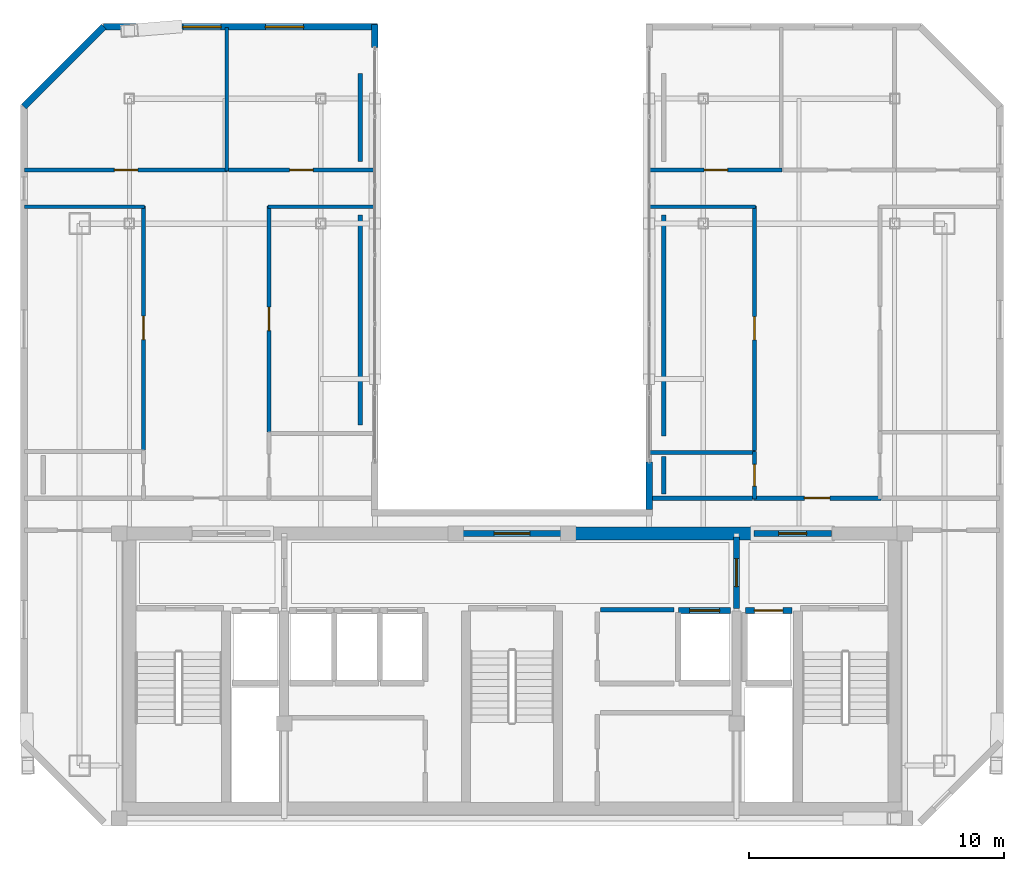
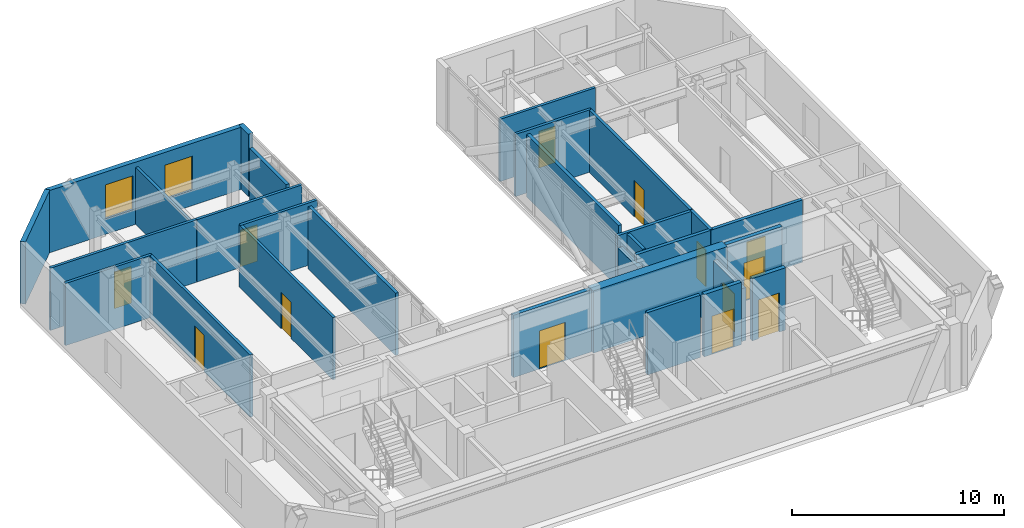
# One storey, part 16 of 19: 29 walls, 13 doors, 2 windows, 15 openings.
"""IFC4 building model written with IfcOpenShell, lengths in metres."""

from ifc_helpers import new_model, si_unit, direction, frame, frame_2d, origin, place, context, subcontext, project, spatial, rectangle, extrude, material, layer, layer_set, type_object, element, fill, save


model = new_model("IFC4")

# Units and contexts
model_context = context("Model", 3, precision=1e-05, world=origin(), true_north=direction((0.0, 1.0)))
body_context = subcontext(model_context, "Body", "Model", "MODEL_VIEW")
ifc_project = project(units=[si_unit("LENGTHUNIT", "METRE"), si_unit("AREAUNIT", "SQUARE_METRE"), si_unit("VOLUMEUNIT", "CUBIC_METRE"), si_unit("PLANEANGLEUNIT", "RADIAN"), si_unit("MASSUNIT", "GRAM", prefix="KILO")], contexts=[model_context])

# Site, building, storey
site_placement = place(None, origin())
site = spatial("IfcSite", under=ifc_project, at=site_placement, CompositionType="ELEMENT")
building_placement = place(site_placement, origin())
building = spatial("IfcBuilding", under=site, at=building_placement, Name="Ventersveld Concourse Tower", CompositionType="ELEMENT")
storey_placement = place(building_placement, frame((0.0, 0.0, 345.199951171875)))
storey = spatial("IfcBuildingStorey", under=building, at=storey_placement, Name="L85", CompositionType="ELEMENT", Elevation=345.199951171875)

# Walls
ifc_material_1 = material(Name="Concrete C50/60", Category="concrete")
ifc_layer_1 = layer(ifc_material_1, 0.5)
ifc_layer_set_1 = layer_set([ifc_layer_1], Name="Concrete C50/60")
wall_type_1 = type_object("IfcWallType", Name="WL-CORE-500", PredefinedType="SHEAR", material=ifc_layer_set_1)
wall_1_placement = place(storey_placement, frame((30.89990234375, 11.449951171875, 0.0), z_axis=(0.0, 0.0, 1.0), x_axis=(1.0, 0.0, 0.0)))
element("IfcWall", 1, at=wall_1_placement, inside=storey, type_object=wall_type_1, Name="L85 Rear Core North Shear Wall NMR", PredefinedType="SHEAR", context=body_context, shape_type="SweptSolid", body=[
    extrude(rectangle(XDim=7.300048828125, YDim=0.5, at=frame_2d((3.64990234375, 0.0))), origin(), (0.0, 0.0, 1.0), 3.590087890625),
])
ifc_material_2 = material(Name="Fire-rated autoclaved aerated masonry blockwork", Category="masonry")
ifc_layer_2 = layer(ifc_material_2, 0.179931640625)
ifc_layer_set_2 = layer_set([ifc_layer_2], Name="Fire-rated autoclaved aerated masonry blockwork")
wall_type_2 = type_object("IfcWallType", Name="WL-CORR-180", PredefinedType="PARTITIONING", material=ifc_layer_set_2)
wall_2_placement = place(storey_placement, frame((32.219970703125, 8.4599609375, 0.0), z_axis=(0.0, 0.0, 1.0), x_axis=(1.0, 0.0, 0.0)))
element("IfcWall", 2, at=wall_2_placement, inside=storey, type_object=wall_type_2, Name="L85 Core Top Wall SP-L85-CBAY1", PredefinedType="PARTITIONING", context=body_context, shape_type="SweptSolid", body=[
    extrude(rectangle(XDim=2.880126953125, YDim=0.179931640625, at=frame_2d((1.43994140625, 0.0))), origin(), (0.0, 0.0, 1.0), 3.590087890625),
])

# Wall, opening, door
wall_3_placement = place(storey_placement, frame((38.216552734375, 12.840087890625, 0.0), z_axis=(0.0, 0.0, 1.0), x_axis=(1.0, 0.0, 0.0)))
wall_3 = element("IfcWall", 3, at=wall_3_placement, inside=storey, type_object=wall_type_2, Name="L85 Interior Partition SP-L85-COR-E-SP-L85-85EB-LIV", PredefinedType="PARTITIONING", context=body_context, shape_type="SweptSolid", body=[
    extrude(rectangle(XDim=4.989990234375, YDim=0.179931640625, at=frame_2d((2.4951171875, 0.0))), origin(), (0.0, 0.0, 1.0), 3.590087890625),
])
opening_1_placement = place(wall_3_placement, frame((1.9951171875, 0.0, 0.0)))
opening_1 = element("IfcOpeningElement", 4, at=opening_1_placement, cuts=wall_3, Name="Opening FD3", PredefinedType="OPENING", context=body_context, shape_type="SweptSolid", body=[
    extrude(rectangle(XDim=1.0, YDim=2.14990234375, at=frame_2d((0.5, 1.074951171875))), frame((0.0, 0.10009765625, 0.0), z_axis=(0.0, -1.0, 0.0), x_axis=(1.0, 0.0, 0.0)), (0.0, 0.0, 1.0), 0.199951171875),
])
ifc_material_3 = material(Name="Solid-core hardwood veneer timber", Category="wood")
door_type_1 = type_object("IfcDoorType", Name="DR-FLAT-100", OperationType="NOTDEFINED", PredefinedType="DOOR", material=ifc_material_3)
door_1_placement = place(opening_1_placement, origin())
door_1 = element("IfcDoor", 5, at=door_1_placement, inside=storey, type_object=door_type_1, Name="L85 Interior Door SP-L85-COR-E to SP-L85-85EB-LIV (FD-L85-3814)", OperationType="SINGLE_SWING_RIGHT", OverallHeight=2.14990234375, OverallWidth=1.0, PredefinedType="DOOR", context=body_context, shape_type="SweptSolid", body=[
    extrude(rectangle(XDim=1.0, YDim=2.14990234375, at=frame_2d((0.5, 1.074951171875))), frame((0.0, 0.02490234375, 0.0), z_axis=(0.0, -1.0, 0.0), x_axis=(1.0, 0.0, 0.0)), (0.0, 0.0, 1.0), 0.050048828125),
])
fill(opening_1, door_1)

# Walls
wall_4_placement = place(storey_placement, frame((34.1494140625, 12.840087890625, 0.0), z_axis=(0.0, 0.0, 1.0), x_axis=(1.0, 0.0, 0.0)))
element("IfcWall", 6, at=wall_4_placement, inside=storey, type_object=wall_type_2, Name="L85 Interior Partition SP-L85-COR-E-SP-L85-85EB-BATH", PredefinedType="PARTITIONING", context=body_context, shape_type="SweptSolid", body=[
    extrude(rectangle(XDim=4.037109375, YDim=0.179931640625, at=frame_2d((2.0185546875, 0.0))), origin(), (0.0, 0.0, 1.0), 3.590087890625),
])
wall_5_placement = place(storey_placement, frame((22.800048828125, 23.9375, 0.0), z_axis=(0.0, 0.0, 1.0), x_axis=(0.0, -1.0, 0.0)))
element("IfcWall", 7, at=wall_5_placement, inside=storey, type_object=wall_type_2, Name="L85 Room Enclosure Wall SP-L85-85WA-DENR", PredefinedType="PARTITIONING", context=body_context, shape_type="SweptSolid", body=[
    extrude(rectangle(XDim=8.239501953125, YDim=0.179931640625, at=frame_2d((4.11962890625, 0.0))), origin(), (0.0, 0.0, 1.0), 3.590087890625),
])
wall_6_placement = place(storey_placement, frame((22.800048828125, 29.486083984375, 0.0), z_axis=(0.0, 0.0, 1.0), x_axis=(0.0, -1.0, 0.0)))
element("IfcWall", 8, at=wall_6_placement, inside=storey, type_object=wall_type_2, Name="L85 Room Enclosure Wall SP-L85-85WA-BR2", PredefinedType="PARTITIONING", context=body_context, shape_type="SweptSolid", body=[
    extrude(rectangle(XDim=3.45849609375, YDim=0.179931640625, at=frame_2d((1.729248046875, 0.0))), origin(), (0.0, 0.0, 1.0), 3.590087890625),
])
wall_7_placement = place(storey_placement, frame((34.699951171875, 15.2666015625, 0.0), z_axis=(0.0, 0.0, 1.0), x_axis=(0.0, 1.0, 0.0)))
element("IfcWall", 9, at=wall_7_placement, inside=storey, type_object=wall_type_2, Name="L85 Room Enclosure Wall SP-L85-85EB-MEDL0", PredefinedType="PARTITIONING", context=body_context, shape_type="SweptSolid", body=[
    extrude(rectangle(XDim=8.6708984375, YDim=0.179931640625, at=frame_2d((4.33544921875, 0.0))), origin(), (0.0, 0.0, 1.0), 3.590087890625),
])

# Wall, opening, door
ifc_layer_3 = layer(ifc_material_2, 0.219970703125)
ifc_layer_set_3 = layer_set([ifc_layer_3], Name="Fire-rated autoclaved aerated masonry blockwork")
wall_type_3 = type_object("IfcWallType", Name="WL-HOIST-220", PredefinedType="SOLIDWALL", material=ifc_layer_set_3)
wall_8_placement = place(storey_placement, frame((37.89990234375, 8.429931640625, 0.0), z_axis=(0.0, 0.0, 1.0), x_axis=(1.0, 0.0, 0.0)))
wall_8 = element("IfcWall", 10, at=wall_8_placement, inside=storey, type_object=wall_type_3, Name="L85 Lift Hoistway Front Wall FFL-02", PredefinedType="SOLIDWALL", context=body_context, shape_type="SweptSolid", body=[
    extrude(rectangle(XDim=1.820068359375, YDim=0.219970703125, at=frame_2d((0.91015625, 0.0))), origin(), (0.0, 0.0, 1.0), 3.590087890625),
])
opening_2_placement = place(wall_8_placement, frame((0.35009765625, 0.0, 0.0)))
opening_2 = element("IfcOpeningElement", 11, at=opening_2_placement, cuts=wall_8, Name="Opening LD1", PredefinedType="OPENING", context=body_context, shape_type="SweptSolid", body=[
    extrude(rectangle(XDim=1.1201171875, YDim=2.25, at=frame_2d((0.56005859375, 1.125))), frame((0.0, 0.1201171875, 0.0), z_axis=(0.0, -1.0, 0.0), x_axis=(1.0, 0.0, 0.0)), (0.0, 0.0, 1.0), 0.239990234375),
])
ifc_material_4 = material(Name="Brushed stainless steel 316", Category="steel")
door_type_2 = type_object("IfcDoorType", Name="LD-FF-112", OperationType="SLIDING_TO_LEFT", PredefinedType="DOOR", material=ifc_material_4)
door_2_placement = place(opening_2_placement, origin())
door_2 = element("IfcDoor", 12, at=door_2_placement, inside=storey, type_object=door_type_2, Name="L85 Lift landing door FFL-02 (LD-L85-FFL-02)", OperationType="SLIDING_TO_LEFT", OverallHeight=2.25, OverallWidth=1.1201171875, PredefinedType="DOOR", context=body_context, shape_type="SweptSolid", body=[
    extrude(rectangle(XDim=1.1201171875, YDim=2.25, at=frame_2d((0.56005859375, 1.125))), frame((0.0, 0.02490234375, 0.0), z_axis=(0.0, -1.0, 0.0), x_axis=(1.0, 0.0, 0.0)), (0.0, 0.0, 1.0), 0.050048828125),
])
fill(opening_2, door_2)

wall_9_placement = place(storey_placement, frame((35.280029296875, 8.429931640625, 0.0), z_axis=(0.0, 0.0, 1.0), x_axis=(1.0, 0.0, 0.0)))
wall_9 = element("IfcWall", 13, at=wall_9_placement, inside=storey, type_object=wall_type_3, Name="L85 Lift Hoistway Front Wall SVL-01", PredefinedType="SOLIDWALL", context=body_context, shape_type="SweptSolid", body=[
    extrude(rectangle(XDim=2.0400390625, YDim=0.219970703125, at=frame_2d((1.02001953125, 0.0))), origin(), (0.0, 0.0, 1.0), 3.590087890625),
])
opening_3_placement = place(wall_9_placement, frame((0.429931640625, 0.0, 0.0)))
opening_3 = element("IfcOpeningElement", 14, at=opening_3_placement, cuts=wall_9, Name="Opening LD2", PredefinedType="OPENING", context=body_context, shape_type="SweptSolid", body=[
    extrude(rectangle(XDim=1.179931640625, YDim=2.199951171875, at=frame_2d((0.58984375, 1.10009765625))), frame((0.0, 0.1201171875, 0.0), z_axis=(0.0, -1.0, 0.0), x_axis=(1.0, 0.0, 0.0)), (0.0, 0.0, 1.0), 0.239990234375),
])
door_type_3 = type_object("IfcDoorType", Name="LD-PAX-118", OperationType="SLIDING_TO_LEFT", PredefinedType="DOOR", material=ifc_material_4)
door_3_placement = place(opening_3_placement, origin())
door_3 = element("IfcDoor", 15, at=door_3_placement, inside=storey, type_object=door_type_3, Name="L85 Lift landing door SVL-01 (LD-L85-SVL-01)", OperationType="SLIDING_TO_RIGHT", OverallHeight=2.199951171875, OverallWidth=1.179931640625, PredefinedType="DOOR", context=body_context, shape_type="SweptSolid", body=[
    extrude(rectangle(XDim=1.179931640625, YDim=2.199951171875, at=frame_2d((0.58984375, 1.10009765625))), frame((0.0, 0.02490234375, 0.0), z_axis=(0.0, -1.0, 0.0), x_axis=(1.0, 0.0, 0.0)), (0.0, 0.0, 1.0), 0.050048828125),
])
fill(opening_3, door_3)

wall_10_placement = place(storey_placement, frame((37.550048828125, 8.52001953125, 0.0), z_axis=(0.0, 0.0, 1.0), x_axis=(0.0, 1.0, 0.0)))
wall_10 = element("IfcWall", 16, at=wall_10_placement, inside=storey, type_object=wall_type_3, Name="L85 Firefighting Lobby Smoke-Stop Wall FFLE-SEP", PredefinedType="SOLIDWALL", context=body_context, shape_type="SweptSolid", body=[
    extrude(rectangle(XDim=2.800048828125, YDim=0.219970703125, at=frame_2d((1.39990234375, 0.0))), origin(), (0.0, 0.0, 1.0), 3.045654296875),
])
opening_4_placement = place(wall_10_placement, frame((0.85009765625, 0.0, 0.0)))
opening_4 = element("IfcOpeningElement", 17, at=opening_4_placement, cuts=wall_10, Name="Opening FD2", PredefinedType="OPENING", context=body_context, shape_type="SweptSolid", body=[
    extrude(rectangle(XDim=1.10009765625, YDim=2.199951171875, at=frame_2d((0.550048828125, 1.10009765625))), frame((0.0, 0.1201171875, 0.0), z_axis=(0.0, -1.0, 0.0), x_axis=(1.0, 0.0, 0.0)), (0.0, 0.0, 1.0), 0.239990234375),
])
ifc_material_5 = material(Name="Galvanised painted steel", Category="steel")
door_type_4 = type_object("IfcDoorType", Name="DR-FFL-110", OperationType="NOTDEFINED", PredefinedType="DOOR", material=ifc_material_5)
door_4_placement = place(opening_4_placement, origin())
door_4 = element("IfcDoor", 18, at=door_4_placement, inside=storey, type_object=door_type_4, Name="L85 Firefighting Lobby Door FFLE-SEP (FD-L85-3804)", OperationType="SINGLE_SWING_RIGHT", OverallHeight=2.199951171875, OverallWidth=1.10009765625, PredefinedType="DOOR", context=body_context, shape_type="SweptSolid", body=[
    extrude(rectangle(XDim=1.10009765625, YDim=2.199951171875, at=frame_2d((0.550048828125, 1.10009765625))), frame((0.0, 0.02490234375, 0.0), z_axis=(0.0, -1.0, 0.0), x_axis=(1.0, 0.0, 0.0)), (0.0, 0.0, 1.0), 0.050048828125),
])
fill(opening_4, door_4)

wall_11_placement = place(storey_placement, frame((26.6298828125, 11.449951171875, 0.0), z_axis=(0.0, 0.0, 1.0), x_axis=(1.0, 0.0, 0.0)))
wall_11 = element("IfcWall", 19, at=wall_11_placement, inside=storey, type_object=wall_type_3, Name="L85 Core North Fire Portal PLOB-OUT", PredefinedType="SOLIDWALL", context=body_context, shape_type="SweptSolid", body=[
    extrude(rectangle(XDim=4.240234375, YDim=0.219970703125, at=frame_2d((2.1201171875, 0.0))), origin(), (0.0, 0.0, 1.0), 3.590087890625),
])
opening_5_placement = place(wall_11_placement, frame((1.419921875, 0.0, 0.0)))
opening_5 = element("IfcOpeningElement", 20, at=opening_5_placement, cuts=wall_11, Name="Opening FD4", PredefinedType="OPENING", context=body_context, shape_type="SweptSolid", body=[
    extrude(rectangle(XDim=1.39990234375, YDim=2.199951171875, at=frame_2d((0.699951171875, 1.10009765625))), frame((0.0, 0.1201171875, 0.0), z_axis=(0.0, -1.0, 0.0), x_axis=(1.0, 0.0, 0.0)), (0.0, 0.0, 1.0), 0.239990234375),
])
door_type_5 = type_object("IfcDoorType", Name="DR-PLANT-140", OperationType="DOUBLE_DOOR_SINGLE_SWING", PredefinedType="DOOR", material=ifc_material_5)
door_5_placement = place(opening_5_placement, origin())
door_5 = element("IfcDoor", 21, at=door_5_placement, inside=storey, type_object=door_type_5, Name="L85 Core Lobby Fire Door PLOB-OUT (FD-L85-3806)", OperationType="DOUBLE_DOOR_SINGLE_SWING", OverallHeight=2.199951171875, OverallWidth=1.39990234375, PredefinedType="DOOR", context=body_context, shape_type="SweptSolid", body=[
    extrude(rectangle(XDim=1.39990234375, YDim=2.199951171875, at=frame_2d((0.699951171875, 1.10009765625))), frame((0.0, 0.02490234375, 0.0), z_axis=(0.0, -1.0, 0.0), x_axis=(1.0, 0.0, 0.0)), (0.0, 0.0, 1.0), 0.050048828125),
])
fill(opening_5, door_5)

wall_12_placement = place(storey_placement, frame((38.22998046875, 11.449951171875, 0.0), z_axis=(0.0, 0.0, 1.0), x_axis=(1.0, 0.0, 0.0)))
wall_12 = element("IfcWall", 22, at=wall_12_placement, inside=storey, type_object=wall_type_3, Name="L85 Core North Fire Portal FFLE-OUT", PredefinedType="SOLIDWALL", context=body_context, shape_type="SweptSolid", body=[
    extrude(rectangle(XDim=3.0400390625, YDim=0.219970703125, at=frame_2d((1.52001953125, 0.0))), origin(), (0.0, 0.0, 1.0), 3.590087890625),
])
opening_6_placement = place(wall_12_placement, frame((0.969970703125, 0.0, 0.0)))
opening_6 = element("IfcOpeningElement", 23, at=opening_6_placement, cuts=wall_12, Name="Opening FD2", PredefinedType="OPENING", context=body_context, shape_type="SweptSolid", body=[
    extrude(rectangle(XDim=1.10009765625, YDim=2.199951171875, at=frame_2d((0.550048828125, 1.10009765625))), frame((0.0, 0.1201171875, 0.0), z_axis=(0.0, -1.0, 0.0), x_axis=(1.0, 0.0, 0.0)), (0.0, 0.0, 1.0), 0.239990234375),
])
door_6_placement = place(opening_6_placement, origin())
door_6 = element("IfcDoor", 24, at=door_6_placement, inside=storey, type_object=door_type_4, Name="L85 Core Lobby Fire Door FFLE-OUT (FD-L85-3807)", OperationType="SINGLE_SWING_LEFT", OverallHeight=2.199951171875, OverallWidth=1.10009765625, PredefinedType="DOOR", context=body_context, shape_type="SweptSolid", body=[
    extrude(rectangle(XDim=1.10009765625, YDim=2.199951171875, at=frame_2d((0.550048828125, 1.10009765625))), frame((0.0, 0.02490234375, 0.0), z_axis=(0.0, -1.0, 0.0), x_axis=(1.0, 0.0, 0.0)), (0.0, 0.0, 1.0), 0.050048828125),
])
fill(opening_6, door_6)

ifc_material_6 = material(Name="Autoclaved aerated masonry blockwork", Category="masonry")
ifc_layer_4 = layer(ifc_material_6, 0.14990234375)
ifc_layer_set_4 = layer_set([ifc_layer_4], Name="Autoclaved aerated masonry blockwork")
wall_type_4 = type_object("IfcWallType", Name="WL-INT-150", PredefinedType="PARTITIONING", material=ifc_layer_set_4)
wall_13_placement = place(storey_placement, frame((14.3017578125, 14.72998046875, 0.0), z_axis=(0.0, 0.0, 1.0), x_axis=(0.0, 1.0, 0.0)))
wall_13 = element("IfcWall", 25, at=wall_13_placement, inside=storey, type_object=wall_type_4, Name="L85 Interior Partition SP-L85-85WA-LIV-SP-L85-85WA-MEDL0", PredefinedType="PARTITIONING", context=body_context, shape_type="SweptSolid", body=[
    extrude(rectangle(XDim=9.567626953125, YDim=0.14990234375, at=frame_2d((4.78369140625, 0.0))), origin(), (0.0, 0.0, 1.0), 3.590087890625),
])
opening_7_placement = place(wall_13_placement, frame((4.32373046875, 0.0, 0.0)))
opening_7 = element("IfcOpeningElement", 26, at=opening_7_placement, cuts=wall_13, Name="Opening ID1", PredefinedType="OPENING", context=body_context, shape_type="SweptSolid", body=[
    extrude(rectangle(XDim=0.919921875, YDim=2.10009765625, at=frame_2d((0.4599609375, 1.050048828125))), frame((0.0, 0.0849609375, 0.0), z_axis=(0.0, -1.0, 0.0), x_axis=(1.0, 0.0, 0.0)), (0.0, 0.0, 1.0), 0.169921875),
])
door_type_6 = type_object("IfcDoorType", Name="DR-ROOM-092", OperationType="NOTDEFINED", PredefinedType="DOOR", material=ifc_material_3)
door_7_placement = place(opening_7_placement, origin())
door_7 = element("IfcDoor", 27, at=door_7_placement, inside=storey, type_object=door_type_6, Name="L85 Interior Door SP-L85-85WA-LIV to SP-L85-85WA-MEDL0 (D-L85-3816)", OperationType="SINGLE_SWING_RIGHT", OverallHeight=2.10009765625, OverallWidth=0.919921875, PredefinedType="DOOR", context=body_context, shape_type="SweptSolid", body=[
    extrude(rectangle(XDim=0.919921875, YDim=2.10009765625, at=frame_2d((0.4599609375, 1.050048828125))), frame((0.0, 0.02490234375, 0.0), z_axis=(0.0, -1.0, 0.0), x_axis=(1.0, 0.0, 0.0)), (0.0, 0.0, 1.0), 0.050048828125),
])
fill(opening_7, door_7)

# Wall
wall_14_placement = place(storey_placement, frame((9.64013671875, 24.262451171875, 0.0), z_axis=(0.0, 0.0, 1.0), x_axis=(1.0, 0.0, 0.0)))
element("IfcWall", 28, at=wall_14_placement, inside=storey, type_object=wall_type_4, Name="L85 Interior Partition SP-L85-85WA-LIV-SP-L85-85WA-MEDL0", PredefinedType="PARTITIONING", context=body_context, shape_type="SweptSolid", body=[
    extrude(rectangle(XDim=4.696533203125, YDim=0.14990234375, at=frame_2d((2.34814453125, 0.0))), origin(), (0.0, 0.0, 1.0), 3.590087890625),
])

# Wall, opening, door
wall_15_placement = place(storey_placement, frame((19.2216796875, 15.43798828125, 0.0), z_axis=(0.0, 0.0, 1.0), x_axis=(0.0, 1.0, 0.0)))
wall_15 = element("IfcWall", 29, at=wall_15_placement, inside=storey, type_object=wall_type_4, Name="L85 Interior Partition SP-L85-85WA-LIV-SP-L85-85WA-DENR", PredefinedType="PARTITIONING", context=body_context, shape_type="SweptSolid", body=[
    extrude(rectangle(XDim=8.859619140625, YDim=0.14990234375, at=frame_2d((4.4296875, 0.0))), origin(), (0.0, 0.0, 1.0), 3.590087890625),
])
opening_8_placement = place(wall_15_placement, frame((3.9697265625, 0.0, 0.0)))
opening_8 = element("IfcOpeningElement", 30, at=opening_8_placement, cuts=wall_15, Name="Opening ID1", PredefinedType="OPENING", context=body_context, shape_type="SweptSolid", body=[
    extrude(rectangle(XDim=0.919921875, YDim=2.10009765625, at=frame_2d((0.4599609375, 1.050048828125))), frame((0.0, 0.0849609375, 0.0), z_axis=(0.0, -1.0, 0.0), x_axis=(1.0, 0.0, 0.0)), (0.0, 0.0, 1.0), 0.169921875),
])
door_8_placement = place(opening_8_placement, origin())
door_8 = element("IfcDoor", 31, at=door_8_placement, inside=storey, type_object=door_type_6, Name="L85 Interior Door SP-L85-85WA-LIV to SP-L85-85WA-DENR (D-L85-3818)", OperationType="SINGLE_SWING_RIGHT", OverallHeight=2.10009765625, OverallWidth=0.919921875, PredefinedType="DOOR", context=body_context, shape_type="SweptSolid", body=[
    extrude(rectangle(XDim=0.919921875, YDim=2.10009765625, at=frame_2d((0.4599609375, 1.050048828125))), frame((0.0, 0.02490234375, 0.0), z_axis=(0.0, -1.0, 0.0), x_axis=(1.0, 0.0, 0.0)), (0.0, 0.0, 1.0), 0.050048828125),
])
fill(opening_8, door_8)

# Wall
wall_16_placement = place(storey_placement, frame((19.186767578125, 24.262451171875, 0.0), z_axis=(0.0, 0.0, 1.0), x_axis=(1.0, 0.0, 0.0)))
element("IfcWall", 32, at=wall_16_placement, inside=storey, type_object=wall_type_4, Name="L85 Interior Partition SP-L85-85WA-LIV-SP-L85-85WA-DENR", PredefinedType="PARTITIONING", context=body_context, shape_type="SweptSolid", body=[
    extrude(rectangle(XDim=4.165283203125, YDim=0.14990234375, at=frame_2d((2.08251953125, 0.0))), origin(), (0.0, 0.0, 1.0), 3.590087890625),
])

# Wall, opening, door
wall_17_placement = place(storey_placement, frame((9.64013671875, 25.702392578125, 0.0), z_axis=(0.0, 0.0, 1.0), x_axis=(1.0, 0.0, 0.0)))
wall_17 = element("IfcWall", 33, at=wall_17_placement, inside=storey, type_object=wall_type_4, Name="L85 Interior Partition SP-L85-85WA-LIV-SP-L85-85WA-BR1", PredefinedType="PARTITIONING", context=body_context, shape_type="SweptSolid", body=[
    extrude(rectangle(XDim=7.961181640625, YDim=0.14990234375, at=frame_2d((3.98046875, 0.0))), origin(), (0.0, 0.0, 1.0), 3.590087890625),
])
opening_9_placement = place(wall_17_placement, frame((3.520751953125, 0.0, 0.0)))
opening_9 = element("IfcOpeningElement", 34, at=opening_9_placement, cuts=wall_17, Name="Opening ID1", PredefinedType="OPENING", context=body_context, shape_type="SweptSolid", body=[
    extrude(rectangle(XDim=0.919921875, YDim=2.10009765625, at=frame_2d((0.4599609375, 1.050048828125))), frame((0.0, 0.0849609375, 0.0), z_axis=(0.0, -1.0, 0.0), x_axis=(1.0, 0.0, 0.0)), (0.0, 0.0, 1.0), 0.169921875),
])
door_9_placement = place(opening_9_placement, origin())
door_9 = element("IfcDoor", 35, at=door_9_placement, inside=storey, type_object=door_type_6, Name="L85 Interior Door SP-L85-85WA-LIV to SP-L85-85WA-BR1 (D-L85-3819)", OperationType="SINGLE_SWING_LEFT", OverallHeight=2.10009765625, OverallWidth=0.919921875, PredefinedType="DOOR", context=body_context, shape_type="SweptSolid", body=[
    extrude(rectangle(XDim=0.919921875, YDim=2.10009765625, at=frame_2d((0.4599609375, 1.050048828125))), frame((0.0, 0.02490234375, 0.0), z_axis=(0.0, -1.0, 0.0), x_axis=(1.0, 0.0, 0.0)), (0.0, 0.0, 1.0), 0.050048828125),
])
fill(opening_9, door_9)

wall_18_placement = place(storey_placement, frame((17.63134765625, 25.702392578125, 0.0), z_axis=(0.0, 0.0, 1.0), x_axis=(1.0, 0.0, 0.0)))
wall_18 = element("IfcWall", 36, at=wall_18_placement, inside=storey, type_object=wall_type_4, Name="L85 Interior Partition SP-L85-85WA-LIV-SP-L85-85WA-BR2", PredefinedType="PARTITIONING", context=body_context, shape_type="SweptSolid", body=[
    extrude(rectangle(XDim=5.720703125, YDim=0.14990234375, at=frame_2d((2.8603515625, 0.0))), origin(), (0.0, 0.0, 1.0), 3.590087890625),
])
opening_10_placement = place(wall_18_placement, frame((2.400390625, 0.0, 0.0)))
opening_10 = element("IfcOpeningElement", 37, at=opening_10_placement, cuts=wall_18, Name="Opening ID1", PredefinedType="OPENING", context=body_context, shape_type="SweptSolid", body=[
    extrude(rectangle(XDim=0.919921875, YDim=2.10009765625, at=frame_2d((0.4599609375, 1.050048828125))), frame((0.0, 0.0849609375, 0.0), z_axis=(0.0, -1.0, 0.0), x_axis=(1.0, 0.0, 0.0)), (0.0, 0.0, 1.0), 0.169921875),
])
door_10_placement = place(opening_10_placement, origin())
door_10 = element("IfcDoor", 38, at=door_10_placement, inside=storey, type_object=door_type_6, Name="L85 Interior Door SP-L85-85WA-LIV to SP-L85-85WA-BR2 (D-L85-3820)", OperationType="SINGLE_SWING_RIGHT", OverallHeight=2.10009765625, OverallWidth=0.919921875, PredefinedType="DOOR", context=body_context, shape_type="SweptSolid", body=[
    extrude(rectangle(XDim=0.919921875, YDim=2.10009765625, at=frame_2d((0.4599609375, 1.050048828125))), frame((0.0, 0.02490234375, 0.0), z_axis=(0.0, -1.0, 0.0), x_axis=(1.0, 0.0, 0.0)), (0.0, 0.0, 1.0), 0.050048828125),
])
fill(opening_10, door_10)

# Wall
wall_19_placement = place(storey_placement, frame((17.56640625, 25.66748046875, 0.0), z_axis=(0.0, 0.0, 1.0), x_axis=(0.0, 1.0, 0.0)))
element("IfcWall", 39, at=wall_19_placement, inside=storey, type_object=wall_type_4, Name="L85 Interior Partition SP-L85-85WA-BR1-SP-L85-85WA-BR2", PredefinedType="PARTITIONING", context=body_context, shape_type="SweptSolid", body=[
    extrude(rectangle(XDim=5.62548828125, YDim=0.14990234375, at=frame_2d((2.812744140625, 0.0))), origin(), (0.0, 0.0, 1.0), 3.28662109375),
])

# Wall, opening, door
wall_20_placement = place(storey_placement, frame((38.25146484375, 14.6953125, 0.0), z_axis=(0.0, 0.0, 1.0), x_axis=(0.0, 1.0, 0.0)))
wall_20 = element("IfcWall", 40, at=wall_20_placement, inside=storey, type_object=wall_type_4, Name="L85 Interior Partition SP-L85-85EB-LIV-SP-L85-85EB-MEDL0", PredefinedType="PARTITIONING", context=body_context, shape_type="SweptSolid", body=[
    extrude(rectangle(XDim=9.602294921875, YDim=0.14990234375, at=frame_2d((4.80126953125, 0.0))), origin(), (0.0, 0.0, 1.0), 3.590087890625),
])
opening_11_placement = place(wall_20_placement, frame((4.341064453125, 0.0, 0.0)))
opening_11 = element("IfcOpeningElement", 41, at=opening_11_placement, cuts=wall_20, Name="Opening ID1", PredefinedType="OPENING", context=body_context, shape_type="SweptSolid", body=[
    extrude(rectangle(XDim=0.919921875, YDim=2.10009765625, at=frame_2d((0.4599609375, 1.050048828125))), frame((0.0, 0.0849609375, 0.0), z_axis=(0.0, -1.0, 0.0), x_axis=(1.0, 0.0, 0.0)), (0.0, 0.0, 1.0), 0.169921875),
])
door_11_placement = place(opening_11_placement, origin())
door_11 = element("IfcDoor", 42, at=door_11_placement, inside=storey, type_object=door_type_6, Name="L85 Interior Door SP-L85-85EB-LIV to SP-L85-85EB-MEDL0 (D-L85-3822)", OperationType="SINGLE_SWING_RIGHT", OverallHeight=2.10009765625, OverallWidth=0.919921875, PredefinedType="DOOR", context=body_context, shape_type="SweptSolid", body=[
    extrude(rectangle(XDim=0.919921875, YDim=2.10009765625, at=frame_2d((0.4599609375, 1.050048828125))), frame((0.0, 0.02490234375, 0.0), z_axis=(0.0, -1.0, 0.0), x_axis=(1.0, 0.0, 0.0)), (0.0, 0.0, 1.0), 0.050048828125),
])
fill(opening_11, door_11)

# Wall
wall_21_placement = place(storey_placement, frame((34.14794921875, 24.262451171875, 0.0), z_axis=(0.0, 0.0, 1.0), x_axis=(1.0, 0.0, 0.0)))
element("IfcWall", 43, at=wall_21_placement, inside=storey, type_object=wall_type_4, Name="L85 Interior Partition SP-L85-85EB-LIV-SP-L85-85EB-MEDL0", PredefinedType="PARTITIONING", context=body_context, shape_type="SweptSolid", body=[
    extrude(rectangle(XDim=4.138671875, YDim=0.14990234375, at=frame_2d((2.0693359375, 0.0))), origin(), (0.0, 0.0, 1.0), 3.590087890625),
])

# Wall, opening, door
wall_22_placement = place(storey_placement, frame((34.14794921875, 25.702392578125, 0.0), z_axis=(0.0, 0.0, 1.0), x_axis=(1.0, 0.0, 0.0)))
wall_22 = element("IfcWall", 44, at=wall_22_placement, inside=storey, type_object=wall_type_4, Name="L85 Interior Partition SP-L85-85EB-LIV-SP-L85-85EB-BR1", PredefinedType="PARTITIONING", context=body_context, shape_type="SweptSolid", body=[
    extrude(rectangle(XDim=5.194091796875, YDim=0.14990234375, at=frame_2d((2.59716796875, 0.0))), origin(), (0.0, 0.0, 1.0), 3.590087890625),
])
opening_12_placement = place(wall_22_placement, frame((2.136962890625, 0.0, 0.0)))
opening_12 = element("IfcOpeningElement", 45, at=opening_12_placement, cuts=wall_22, Name="Opening ID1", PredefinedType="OPENING", context=body_context, shape_type="SweptSolid", body=[
    extrude(rectangle(XDim=0.919921875, YDim=2.10009765625, at=frame_2d((0.4599609375, 1.050048828125))), frame((0.0, 0.0849609375, 0.0), z_axis=(0.0, -1.0, 0.0), x_axis=(1.0, 0.0, 0.0)), (0.0, 0.0, 1.0), 0.169921875),
])
door_12_placement = place(opening_12_placement, origin())
door_12 = element("IfcDoor", 46, at=door_12_placement, inside=storey, type_object=door_type_6, Name="L85 Interior Door SP-L85-85EB-LIV to SP-L85-85EB-BR1 (D-L85-3825)", OperationType="SINGLE_SWING_LEFT", OverallHeight=2.10009765625, OverallWidth=0.919921875, PredefinedType="DOOR", context=body_context, shape_type="SweptSolid", body=[
    extrude(rectangle(XDim=0.919921875, YDim=2.10009765625, at=frame_2d((0.4599609375, 1.050048828125))), frame((0.0, 0.02490234375, 0.0), z_axis=(0.0, -1.0, 0.0), x_axis=(1.0, 0.0, 0.0)), (0.0, 0.0, 1.0), 0.050048828125),
])
fill(opening_12, door_12)

# Walls
ifc_material_7 = material(Name="Precast concrete C45/55", Category="concrete")
ifc_layer_5 = layer(ifc_material_7, 0.260009765625)
ifc_layer_set_5 = layer_set([ifc_layer_5], Name="Precast concrete C45/55")
wall_type_5 = type_object("IfcWallType", Name="WL-PREC-260", PredefinedType="SOLIDWALL", material=ifc_layer_set_5)
wall_23_placement = place(storey_placement, frame((34.1298828125, 12.39990234375, 0.0), z_axis=(0.0, 0.0, 1.0), x_axis=(0.0, 1.0, 0.0)))
element("IfcWall", 47, at=wall_23_placement, inside=storey, type_object=wall_type_5, Name="L85 Wind Portal South Cheek Pier", PredefinedType="SOLIDWALL", context=body_context, shape_type="SweptSolid", body=[
    extrude(rectangle(XDim=1.85009765625, YDim=0.260009765625, at=frame_2d((0.925048828125, 0.0))), origin(), (0.0, 0.0, 1.0), 3.130126953125),
])
wall_24_placement = place(storey_placement, frame((23.3701171875, 30.50244140625, 0.0), z_axis=(0.0, 0.0, 1.0), x_axis=(0.0, 1.0, 0.0)))
element("IfcWall", 48, at=wall_24_placement, inside=storey, type_object=wall_type_5, Name="L85 Wind Portal North Cheek Pier", PredefinedType="SOLIDWALL", context=body_context, shape_type="SweptSolid", body=[
    extrude(rectangle(XDim=0.900146484375, YDim=0.260009765625, at=frame_2d((0.4501953125, 0.0))), origin(), (0.0, 0.0, 1.0), 3.590087890625),
])

# Wall, openings, windows
wall_25_placement = place(storey_placement, frame((23.4599609375, 31.3125, 0.0), z_axis=(0.0, 0.0, 1.0), x_axis=(-1.0, 0.0, 0.0)))
wall_25 = element("IfcWall", 49, at=wall_25_placement, inside=storey, type_object=wall_type_5, Name="L85 Highveld Precast Facade Wall E09", PredefinedType="SOLIDWALL", context=body_context, shape_type="SweptSolid", body=[
    extrude(rectangle(XDim=10.729248046875, YDim=0.260009765625, at=frame_2d((5.36474609375, 0.0))), origin(), (0.0, 0.0, 1.0), 3.590087890625),
])
opening_13_placement = place(wall_25_placement, frame((6.116943359375, 0.0, 0.89990234375)))
opening_13 = element("IfcOpeningElement", 50, at=opening_13_placement, cuts=wall_25, Name="Opening W1", PredefinedType="OPENING", context=body_context, shape_type="SweptSolid", body=[
    extrude(rectangle(XDim=1.5, YDim=1.949951171875, at=frame_2d((0.75, 0.97509765625))), frame((0.0, 0.14013671875, 0.0), z_axis=(0.0, -1.0, 0.0), x_axis=(1.0, 0.0, 0.0)), (0.0, 0.0, 1.0), 0.280029296875),
])
opening_14_placement = place(wall_25_placement, frame((2.876953125, 0.0, 0.89990234375)))
opening_14 = element("IfcOpeningElement", 51, at=opening_14_placement, cuts=wall_25, Name="Opening W1", PredefinedType="OPENING", context=body_context, shape_type="SweptSolid", body=[
    extrude(rectangle(XDim=1.5, YDim=1.949951171875, at=frame_2d((0.75, 0.97509765625))), frame((0.0, 0.14013671875, 0.0), z_axis=(0.0, -1.0, 0.0), x_axis=(1.0, 0.0, 0.0)), (0.0, 0.0, 1.0), 0.280029296875),
])
ifc_material_8 = material(Name="Tempered acoustic Low-E IGU", Category="glass")
window_type = type_object("IfcWindowType", Name="WIN-150x210", PartitioningType="SINGLE_PANEL", PredefinedType="WINDOW", material=ifc_material_8)
window_1_placement = place(opening_13_placement, origin())
window_1 = element("IfcWindow", 52, at=window_1_placement, inside=storey, type_object=window_type, Name="L85 Punched Low-E Window W-1193", OverallHeight=1.949951171875, OverallWidth=1.5, PartitioningType="SINGLE_PANEL", PredefinedType="WINDOW", context=body_context, shape_type="SweptSolid", body=[
    extrude(rectangle(XDim=1.5, YDim=1.949951171875, at=frame_2d((0.75, 0.97509765625))), frame((0.0, 0.030029296875, 0.0), z_axis=(0.0, -1.0, 0.0), x_axis=(1.0, 0.0, 0.0)), (0.0, 0.0, 1.0), 0.06005859375),
])
fill(opening_13, window_1)
window_2_placement = place(opening_14_placement, origin())
window_2 = element("IfcWindow", 53, at=window_2_placement, inside=storey, type_object=window_type, Name="L85 Punched Low-E Window W-1194", OverallHeight=1.949951171875, OverallWidth=1.5, PartitioningType="SINGLE_PANEL", PredefinedType="WINDOW", context=body_context, shape_type="SweptSolid", body=[
    extrude(rectangle(XDim=1.5, YDim=1.949951171875, at=frame_2d((0.75, 0.97509765625))), frame((0.0, 0.030029296875, 0.0), z_axis=(0.0, -1.0, 0.0), x_axis=(1.0, 0.0, 0.0)), (0.0, 0.0, 1.0), 0.06005859375),
])
fill(opening_14, window_2)

# Wall
wall_26_placement = place(storey_placement, frame((12.754150390625, 31.322265625, 0.0), z_axis=(0.0, 0.0, 1.0), x_axis=(-0.707106781187, -0.707106781187, 0.0)))
element("IfcWall", 54, at=wall_26_placement, inside=storey, type_object=wall_type_5, Name="L85 Highveld Precast Facade Wall E10", PredefinedType="SOLIDWALL", context=body_context, shape_type="SweptSolid", body=[
    extrude(rectangle(XDim=4.4453125, YDim=0.260009765625, at=frame_2d((2.22265625, 0.0))), origin(), (0.0, 0.0, 1.0), 3.590087890625),
])

# Wall, opening, door
ifc_layer_6 = layer(ifc_material_6, 0.1650390625)
ifc_layer_set_6 = layer_set([ifc_layer_6], Name="Autoclaved aerated masonry blockwork")
wall_type_6 = type_object("IfcWallType", Name="WL-WET-165", PredefinedType="PLUMBINGWALL", material=ifc_layer_set_6)
wall_27_placement = place(storey_placement, frame((38.25146484375, 12.804931640625, 0.0), z_axis=(0.0, 0.0, 1.0), x_axis=(0.0, 1.0, 0.0)))
wall_27 = element("IfcWall", 55, at=wall_27_placement, inside=storey, type_object=wall_type_6, Name="L85 Interior Partition SP-L85-85EB-LIV-SP-L85-85EB-BATH", PredefinedType="PLUMBINGWALL", context=body_context, shape_type="SweptSolid", body=[
    extrude(rectangle(XDim=1.8603515625, YDim=0.1650390625, at=frame_2d((0.93017578125, 0.0))), origin(), (0.0, 0.0, 1.0), 3.590087890625),
])
opening_15_placement = place(wall_27_placement, frame((0.505126953125, 0.0, 0.0)))
opening_15 = element("IfcOpeningElement", 56, at=opening_15_placement, cuts=wall_27, Name="Opening ID2", PredefinedType="OPENING", context=body_context, shape_type="SweptSolid", body=[
    extrude(rectangle(XDim=0.85009765625, YDim=2.10009765625, at=frame_2d((0.425048828125, 1.050048828125))), frame((0.0, 0.092529296875, 0.0), z_axis=(0.0, -1.0, 0.0), x_axis=(1.0, 0.0, 0.0)), (0.0, 0.0, 1.0), 0.18505859375),
])
door_type_7 = type_object("IfcDoorType", Name="DR-BATH-085", OperationType="NOTDEFINED", PredefinedType="DOOR", material=ifc_material_3)
door_13_placement = place(opening_15_placement, origin())
door_13 = element("IfcDoor", 57, at=door_13_placement, inside=storey, type_object=door_type_7, Name="L85 Interior Door SP-L85-85EB-LIV to SP-L85-85EB-BATH (D-L85-3821)", OperationType="SINGLE_SWING_LEFT", OverallHeight=2.10009765625, OverallWidth=0.85009765625, PredefinedType="DOOR", context=body_context, shape_type="SweptSolid", body=[
    extrude(rectangle(XDim=0.85009765625, YDim=2.10009765625, at=frame_2d((0.425048828125, 1.050048828125))), frame((0.0, 0.02490234375, 0.0), z_axis=(0.0, -1.0, 0.0), x_axis=(1.0, 0.0, 0.0)), (0.0, 0.0, 1.0), 0.050048828125),
])
fill(opening_15, door_13)

# Walls
wall_28_placement = place(storey_placement, frame((34.14794921875, 14.63037109375, 0.0), z_axis=(0.0, 0.0, 1.0), x_axis=(1.0, 0.0, 0.0)))
element("IfcWall", 58, at=wall_28_placement, inside=storey, type_object=wall_type_6, Name="L85 Interior Partition SP-L85-85EB-BATH-SP-L85-85EB-MEDL0", PredefinedType="PLUMBINGWALL", context=body_context, shape_type="SweptSolid", body=[
    extrude(rectangle(XDim=4.138671875, YDim=0.1650390625, at=frame_2d((2.0693359375, 0.0))), origin(), (0.0, 0.0, 1.0), 3.590087890625),
])
wall_29_placement = place(storey_placement, frame((34.699951171875, 13.0048828125, 0.0), z_axis=(0.0, 0.0, 1.0), x_axis=(0.0, 1.0, 0.0)))
element("IfcWall", 59, at=wall_29_placement, inside=storey, type_object=wall_type_6, Name="L85 Room Enclosure Wall SP-L85-85EB-BATH", PredefinedType="PLUMBINGWALL", context=body_context, shape_type="SweptSolid", body=[
    extrude(rectangle(XDim=1.46044921875, YDim=0.1650390625, at=frame_2d((0.730224609375, 0.0))), origin(), (0.0, 0.0, 1.0), 3.590087890625),
])

save(model, "model.ifc")
